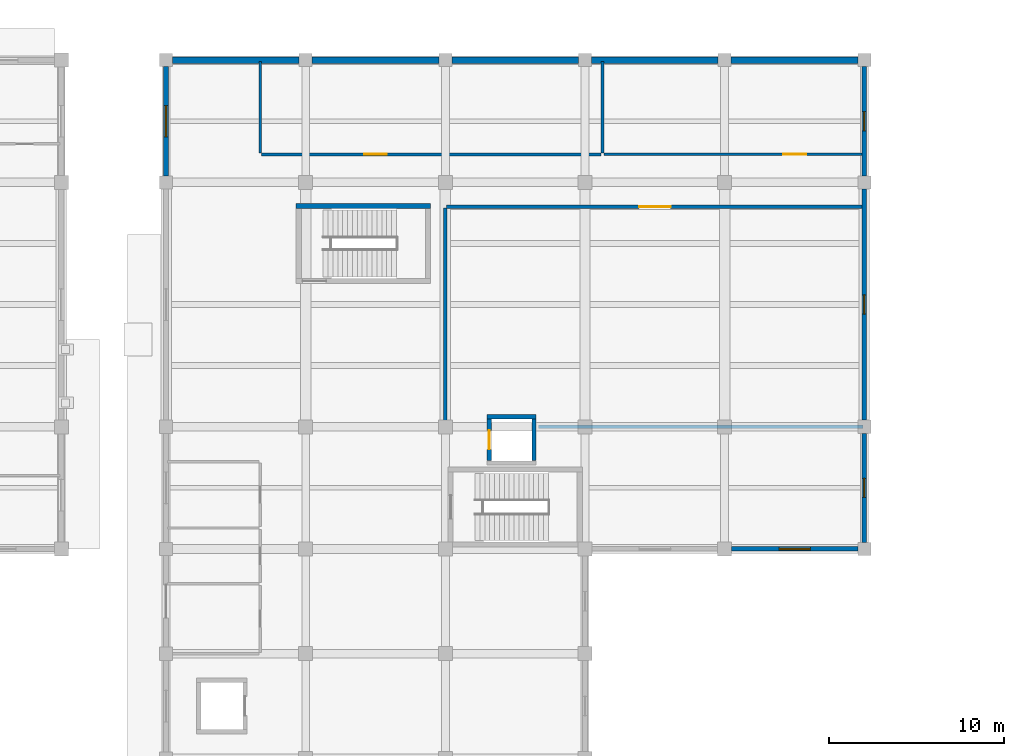
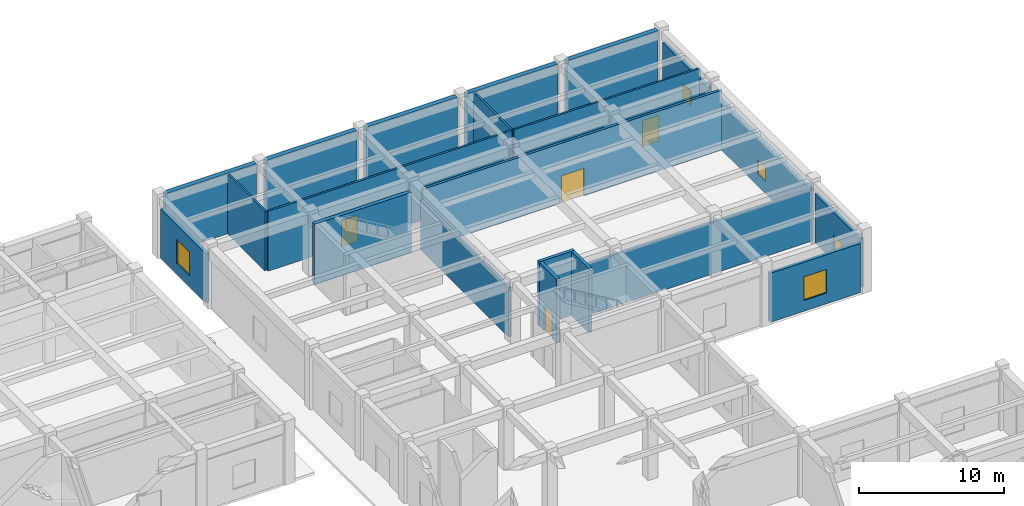
# One storey, part 29 of 40: 21 walls, 5 windows, 4 doors, 9 openings.
"""IFC4 building model written with IfcOpenShell, lengths in metres."""

from ifc_helpers import new_model, si_unit, direction, frame, frame_2d, origin, place, context, subcontext, project, spatial, rectangle, extrude, material, layer, layer_set, type_object, element, fill, save


model = new_model("IFC4")

# Units and contexts
model_context = context("Model", 3, precision=1e-05, world=origin(), true_north=direction((0.0, 1.0)))
body_context = subcontext(model_context, "Body", "Model", "MODEL_VIEW")
ifc_project = project(units=[si_unit("LENGTHUNIT", "METRE"), si_unit("AREAUNIT", "SQUARE_METRE"), si_unit("VOLUMEUNIT", "CUBIC_METRE"), si_unit("PLANEANGLEUNIT", "RADIAN"), si_unit("MASSUNIT", "GRAM", prefix="KILO")], contexts=[model_context])

# Site, building, storey
site_placement = place(None, origin())
site = spatial("IfcSite", under=ifc_project, at=site_placement, CompositionType="ELEMENT")
building_placement = place(site_placement, origin())
building = spatial("IfcBuilding", under=site, at=building_placement, Name="Naurynzar Civic Courthouse", CompositionType="ELEMENT")
storey_placement = place(building_placement, origin())
storey = spatial("IfcBuildingStorey", under=building, at=storey_placement, Name="L01", CompositionType="ELEMENT", Elevation=0.0)

# Wall
ifc_material_1 = material(Name="Acoustic Double-Stud Gypsum Partition")
ifc_layer_1 = layer(ifc_material_1, 0.205078125)
ifc_layer_set_1 = layer_set([ifc_layer_1], Name="WL-ACOUSTIC-205")
wall_type_1 = type_object("IfcWallType", Name="WL-ACOUSTIC-205", PredefinedType="PARTITIONING", material=ifc_layer_set_1)
wall_1_placement = place(storey_placement, frame((151.35009765625, 51.0, 0.0), z_axis=(0.0, 0.0, 1.0), x_axis=(1.0, 0.0, 0.0)))
element("IfcWall", 1, at=wall_1_placement, inside=storey, type_object=wall_type_1, Name="V5 interior partition L01.112", PredefinedType="PARTITIONING", context=body_context, shape_type="SweptSolid", body=[
    extrude(rectangle(XDim=18.56982421875, YDim=0.205078125, at=frame_2d((9.284912109375, 0.0))), origin(), (0.0, 0.0, 1.0), 4.35009765625),
])

# Wall, opening, door
wall_2_placement = place(storey_placement, frame((146.080078125, 63.60009765625, 0.0), z_axis=(0.0, 0.0, 1.0), x_axis=(1.0, 0.0, 0.0)))
wall_2 = element("IfcWall", 2, at=wall_2_placement, inside=storey, type_object=wall_type_1, Name="V5 interior partition L01.113", PredefinedType="PARTITIONING", context=body_context, shape_type="SweptSolid", body=[
    extrude(rectangle(XDim=23.83984375, YDim=0.205078125, at=frame_2d((11.919921875, 0.0))), origin(), (0.0, 0.0, 1.0), 5.0400390625),
])
opening_1_placement = place(wall_2_placement, frame((11.02001953125, 0.0, 0.0)))
opening_1 = element("IfcOpeningElement", 3, at=opening_1_placement, cuts=wall_2, Name="Opening D-283", PredefinedType="OPENING", context=body_context, shape_type="SweptSolid", body=[
    extrude(rectangle(XDim=1.800048828125, YDim=2.300048828125, at=frame_2d((0.89990234375, 1.14990234375))), frame((0.0, 0.112548828125, 0.0), z_axis=(0.0, -1.0, 0.0), x_axis=(1.0, 0.0, 0.0)), (0.0, 0.0, 1.0), 0.22509765625),
])
ifc_material_2 = material(Name="Acoustic Oak Timber Grade A", Category="wood")
door_type_1 = type_object("IfcDoorType", Name="DR-COURT-DBL-1800x2300", OperationType="DOUBLE_DOOR_SINGLE_SWING", PredefinedType="DOOR", material=ifc_material_2)
door_1_placement = place(opening_1_placement, origin())
door_1 = element("IfcDoor", 4, at=door_1_placement, inside=storey, type_object=door_type_1, Name="Interior door D-283 (Criminal Duty Courtroom 1A)", OperationType="DOUBLE_DOOR_SINGLE_SWING", OverallHeight=2.300048828125, OverallWidth=1.800048828125, PredefinedType="DOOR", context=body_context, shape_type="SweptSolid", body=[
    extrude(rectangle(XDim=1.800048828125, YDim=2.300048828125, at=frame_2d((0.89990234375, 1.14990234375))), frame((0.0, 0.02490234375, 0.0), z_axis=(0.0, -1.0, 0.0), x_axis=(1.0, 0.0, 0.0)), (0.0, 0.0, 1.0), 0.050048828125),
])
fill(opening_1, door_1)

# Walls
wall_3_placement = place(storey_placement, frame((146.0, 51.35009765625, 0.0), z_axis=(0.0, 0.0, 1.0), x_axis=(0.0, 1.0, 0.0)))
element("IfcWall", 5, at=wall_3_placement, inside=storey, type_object=wall_type_1, Name="V5 interior partition L01.177", PredefinedType="PARTITIONING", context=body_context, shape_type="SweptSolid", body=[
    extrude(rectangle(XDim=12.169921875, YDim=0.205078125, at=frame_2d((6.0849609375, 0.0))), origin(), (0.0, 0.0, 1.0), 4.14990234375),
])
ifc_material_3 = material(Name="Concrete C40/50", Category="concrete")
ifc_layer_2 = layer(ifc_material_3, 0.300048828125)
ifc_layer_set_2 = layer_set([ifc_layer_2], Name="WL-CORE-300")
wall_type_2 = type_object("IfcWallType", Name="WL-CORE-300", PredefinedType="SHEAR", material=ifc_layer_set_2)
wall_4_placement = place(storey_placement, frame((145.14990234375, 63.64990234375, 0.0), z_axis=(0.0, 0.0, 1.0), x_axis=(-1.0, 0.0, 0.0)))
element("IfcWall", 6, at=wall_4_placement, inside=storey, type_object=wall_type_2, Name="Stair ST-V5B enclosure wall north L01", PredefinedType="SHEAR", context=body_context, shape_type="SweptSolid", body=[
    extrude(rectangle(XDim=7.699951171875, YDim=0.300048828125, at=frame_2d((3.85009765625, 0.0))), origin(), (0.0, 0.0, 1.0), 5.10009765625),
])

# Wall, opening, window
ifc_material_4 = material(Name="Precast concrete C40/50", Category="concrete")
ifc_layer_3 = layer(ifc_material_4, 0.260009765625)
ifc_layer_set_3 = layer_set([ifc_layer_3], Name="WL-EXT-260")
wall_type_3 = type_object("IfcWallType", Name="WL-EXT-260", PredefinedType="SOLIDWALL", material=ifc_layer_set_3)
wall_5_placement = place(storey_placement, frame((130.0, 65.375, 0.0), z_axis=(0.0, 0.0, 1.0), x_axis=(0.0, 1.0, 0.0)))
wall_5 = element("IfcWall", 7, at=wall_5_placement, inside=storey, type_object=wall_type_3, Name="V5 exterior wall west L01.9.1", PredefinedType="SOLIDWALL", context=body_context, shape_type="SweptSolid", body=[
    extrude(rectangle(XDim=6.25, YDim=0.260009765625, at=frame_2d((3.125, 0.0))), origin(), (0.0, 0.0, 1.0), 4.1298828125),
])
opening_2_placement = place(wall_5_placement, frame((2.22509765625, 0.0, 0.89990234375)))
opening_2 = element("IfcOpeningElement", 8, at=opening_2_placement, cuts=wall_5, Name="Opening WN-03", PredefinedType="OPENING", context=body_context, shape_type="SweptSolid", body=[
    extrude(rectangle(XDim=1.800048828125, YDim=2.0, at=frame_2d((0.89990234375, 1.0))), frame((0.0, 0.139892578125, 0.0), z_axis=(0.0, -1.0, 0.0), x_axis=(1.0, 0.0, 0.0)), (0.0, 0.0, 1.0), 0.280029296875),
])
ifc_material_5 = material(Name="Tempered Laminated Low-E Glass", Category="glass")
window_type_1 = type_object("IfcWindowType", Name="WIN-COURT-1800x2000", PartitioningType="DOUBLE_PANEL_VERTICAL", PredefinedType="WINDOW", material=ifc_material_5)
window_1_placement = place(opening_2_placement, origin())
window_1 = element("IfcWindow", 9, at=window_1_placement, inside=storey, type_object=window_type_1, Name="V5 window 244 L01", OverallHeight=2.0, OverallWidth=1.800048828125, PartitioningType="SINGLE_PANEL", PredefinedType="WINDOW", context=body_context, shape_type="SweptSolid", body=[
    extrude(rectangle(XDim=1.800048828125, YDim=2.0, at=frame_2d((0.89990234375, 1.0))), frame((0.0, 0.030029296875, 0.0), z_axis=(0.0, -1.0, 0.0), x_axis=(1.0, 0.0, 0.0)), (0.0, 0.0, 1.0), 0.06005859375),
])
fill(opening_2, window_1)

wall_6_placement = place(storey_placement, frame((170.0, 71.625, 0.0), z_axis=(0.0, 0.0, 1.0), x_axis=(0.0, -1.0, 0.0)))
wall_6 = element("IfcWall", 10, at=wall_6_placement, inside=storey, type_object=wall_type_3, Name="V5 exterior wall east_north L01.1.1", PredefinedType="SOLIDWALL", context=body_context, shape_type="SweptSolid", body=[
    extrude(rectangle(XDim=6.25, YDim=0.260009765625, at=frame_2d((3.125, 0.0))), origin(), (0.0, 0.0, 1.0), 4.1298828125),
])
opening_3_placement = place(wall_6_placement, frame((2.574951171875, 0.0, 1.0)))
opening_3 = element("IfcOpeningElement", 11, at=opening_3_placement, cuts=wall_6, Name="Opening WN-15", PredefinedType="OPENING", context=body_context, shape_type="SweptSolid", body=[
    extrude(rectangle(XDim=1.10009765625, YDim=1.199951171875, at=frame_2d((0.550048828125, 0.60009765625))), frame((0.0, 0.139892578125, 0.0), z_axis=(0.0, -1.0, 0.0), x_axis=(1.0, 0.0, 0.0)), (0.0, 0.0, 1.0), 0.280029296875),
])
ifc_material_6 = material(Name="Tempered Laminated Low-E Glass", Category="glass")
window_type_2 = type_object("IfcWindowType", Name="WIN-SEC-1100x1200", PartitioningType="SINGLE_PANEL", PredefinedType="WINDOW", material=ifc_material_6)
window_2_placement = place(opening_3_placement, origin())
window_2 = element("IfcWindow", 12, at=window_2_placement, inside=storey, type_object=window_type_2, Name="V5 window 245 L01", OverallHeight=1.199951171875, OverallWidth=1.10009765625, PartitioningType="SINGLE_PANEL", PredefinedType="WINDOW", context=body_context, shape_type="SweptSolid", body=[
    extrude(rectangle(XDim=1.10009765625, YDim=1.199951171875, at=frame_2d((0.550048828125, 0.60009765625))), frame((0.0, 0.030029296875, 0.0), z_axis=(0.0, -1.0, 0.0), x_axis=(1.0, 0.0, 0.0)), (0.0, 0.0, 1.0), 0.06005859375),
])
fill(opening_3, window_2)

wall_7_placement = place(storey_placement, frame((170.0, 64.625, 0.0), z_axis=(0.0, 0.0, 1.0), x_axis=(0.0, -1.0, 0.0)))
wall_7 = element("IfcWall", 13, at=wall_7_placement, inside=storey, type_object=wall_type_3, Name="V5 exterior wall east_north L01.2.1", PredefinedType="SOLIDWALL", context=body_context, shape_type="SweptSolid", body=[
    extrude(rectangle(XDim=13.25, YDim=0.260009765625, at=frame_2d((6.625, 0.0))), origin(), (0.0, 0.0, 1.0), 4.1298828125),
])
opening_4_placement = place(wall_7_placement, frame((6.074951171875, 0.0, 1.0)))
opening_4 = element("IfcOpeningElement", 14, at=opening_4_placement, cuts=wall_7, Name="Opening WN-15", PredefinedType="OPENING", context=body_context, shape_type="SweptSolid", body=[
    extrude(rectangle(XDim=1.10009765625, YDim=1.199951171875, at=frame_2d((0.550048828125, 0.60009765625))), frame((0.0, 0.139892578125, 0.0), z_axis=(0.0, -1.0, 0.0), x_axis=(1.0, 0.0, 0.0)), (0.0, 0.0, 1.0), 0.280029296875),
])
window_3_placement = place(opening_4_placement, origin())
window_3 = element("IfcWindow", 15, at=window_3_placement, inside=storey, type_object=window_type_2, Name="V5 window 246 L01", OverallHeight=1.199951171875, OverallWidth=1.10009765625, PartitioningType="SINGLE_PANEL", PredefinedType="WINDOW", context=body_context, shape_type="SweptSolid", body=[
    extrude(rectangle(XDim=1.10009765625, YDim=1.199951171875, at=frame_2d((0.550048828125, 0.60009765625))), frame((0.0, 0.030029296875, 0.0), z_axis=(0.0, -1.0, 0.0), x_axis=(1.0, 0.0, 0.0)), (0.0, 0.0, 1.0), 0.06005859375),
])
fill(opening_4, window_3)

wall_8_placement = place(storey_placement, frame((170.0, 50.625, 0.0), z_axis=(0.0, 0.0, 1.0), x_axis=(0.0, -1.0, 0.0)))
wall_8 = element("IfcWall", 16, at=wall_8_placement, inside=storey, type_object=wall_type_3, Name="V5 exterior wall east_north L01.3.1", PredefinedType="SOLIDWALL", context=body_context, shape_type="SweptSolid", body=[
    extrude(rectangle(XDim=6.25, YDim=0.260009765625, at=frame_2d((3.125, 0.0))), origin(), (0.0, 0.0, 1.0), 4.1298828125),
])
opening_5_placement = place(wall_8_placement, frame((2.574951171875, 0.0, 1.0)))
opening_5 = element("IfcOpeningElement", 17, at=opening_5_placement, cuts=wall_8, Name="Opening WN-15", PredefinedType="OPENING", context=body_context, shape_type="SweptSolid", body=[
    extrude(rectangle(XDim=1.10009765625, YDim=1.199951171875, at=frame_2d((0.550048828125, 0.60009765625))), frame((0.0, 0.139892578125, 0.0), z_axis=(0.0, -1.0, 0.0), x_axis=(1.0, 0.0, 0.0)), (0.0, 0.0, 1.0), 0.280029296875),
])
window_4_placement = place(opening_5_placement, origin())
window_4 = element("IfcWindow", 18, at=window_4_placement, inside=storey, type_object=window_type_2, Name="V5 window 247 L01", OverallHeight=1.199951171875, OverallWidth=1.10009765625, PartitioningType="SINGLE_PANEL", PredefinedType="WINDOW", context=body_context, shape_type="SweptSolid", body=[
    extrude(rectangle(XDim=1.10009765625, YDim=1.199951171875, at=frame_2d((0.550048828125, 0.60009765625))), frame((0.0, 0.030029296875, 0.0), z_axis=(0.0, -1.0, 0.0), x_axis=(1.0, 0.0, 0.0)), (0.0, 0.0, 1.0), 0.06005859375),
])
fill(opening_5, window_4)

wall_9_placement = place(storey_placement, frame((169.625, 44.0, 0.0), z_axis=(0.0, 0.0, 1.0), x_axis=(-1.0, 0.0, 0.0)))
wall_9 = element("IfcWall", 19, at=wall_9_placement, inside=storey, type_object=wall_type_3, Name="V5 exterior wall notch_n L01.1.1", PredefinedType="SOLIDWALL", context=body_context, shape_type="SweptSolid", body=[
    extrude(rectangle(XDim=7.22509765625, YDim=0.260009765625, at=frame_2d((3.612548828125, 0.0))), origin(), (0.0, 0.0, 1.0), 4.1298828125),
])
opening_6_placement = place(wall_9_placement, frame((2.71240234375, 0.0, 0.89990234375)))
opening_6 = element("IfcOpeningElement", 20, at=opening_6_placement, cuts=wall_9, Name="Opening WN-03", PredefinedType="OPENING", context=body_context, shape_type="SweptSolid", body=[
    extrude(rectangle(XDim=1.800048828125, YDim=2.0, at=frame_2d((0.89990234375, 1.0))), frame((0.0, 0.139892578125, 0.0), z_axis=(0.0, -1.0, 0.0), x_axis=(1.0, 0.0, 0.0)), (0.0, 0.0, 1.0), 0.280029296875),
])
window_5_placement = place(opening_6_placement, origin())
window_5 = element("IfcWindow", 21, at=window_5_placement, inside=storey, type_object=window_type_1, Name="V5 window 248 L01", OverallHeight=2.0, OverallWidth=1.800048828125, PartitioningType="SINGLE_PANEL", PredefinedType="WINDOW", context=body_context, shape_type="SweptSolid", body=[
    extrude(rectangle(XDim=1.800048828125, YDim=2.0, at=frame_2d((0.89990234375, 1.0))), frame((0.0, 0.030029296875, 0.0), z_axis=(0.0, -1.0, 0.0), x_axis=(1.0, 0.0, 0.0)), (0.0, 0.0, 1.0), 0.06005859375),
])
fill(opening_6, window_5)

# Wall, opening, door
ifc_material_7 = material(Name="Insulated Metal-Stud Gypsum Partition")
ifc_layer_4 = layer(ifc_material_7, 0.159912109375)
ifc_layer_set_4 = layer_set([ifc_layer_4], Name="WL-PART-CHAMB-160")
wall_type_4 = type_object("IfcWallType", Name="WL-PART-CHAMB-160", PredefinedType="PARTITIONING", material=ifc_layer_set_4)
wall_10_placement = place(storey_placement, frame((135.47998046875, 66.60009765625, 0.0), z_axis=(0.0, 0.0, 1.0), x_axis=(1.0, 0.0, 0.0)))
wall_10 = element("IfcWall", 22, at=wall_10_placement, inside=storey, type_object=wall_type_4, Name="V5 interior partition L01.120", PredefinedType="PARTITIONING", context=body_context, shape_type="SweptSolid", body=[
    extrude(rectangle(XDim=19.43994140625, YDim=0.159912109375, at=frame_2d((9.719970703125, 0.0))), origin(), (0.0, 0.0, 1.0), 5.0400390625),
])
opening_7_placement = place(wall_10_placement, frame((5.8798828125, 0.0, 0.0)))
opening_7 = element("IfcOpeningElement", 23, at=opening_7_placement, cuts=wall_10, Name="Opening D-284", PredefinedType="OPENING", context=body_context, shape_type="SweptSolid", body=[
    extrude(rectangle(XDim=1.280029296875, YDim=2.199951171875, at=frame_2d((0.64013671875, 1.10009765625))), frame((0.0, 0.08984375, 0.0), z_axis=(0.0, -1.0, 0.0), x_axis=(1.0, 0.0, 0.0)), (0.0, 0.0, 1.0), 0.179931640625),
])
ifc_material_8 = material(Name="Acoustic Oak Timber Grade A", Category="wood")
door_type_2 = type_object("IfcDoorType", Name="DR-SUITE-1280x2200", OperationType="NOTDEFINED", PredefinedType="DOOR", material=ifc_material_8)
door_2_placement = place(opening_7_placement, origin())
door_2 = element("IfcDoor", 24, at=door_2_placement, inside=storey, type_object=door_type_2, Name="Interior door D-284 (Duty Judges' Chambers L01)", OperationType="SINGLE_SWING_RIGHT", OverallHeight=2.199951171875, OverallWidth=1.280029296875, PredefinedType="DOOR", context=body_context, shape_type="SweptSolid", body=[
    extrude(rectangle(XDim=1.280029296875, YDim=2.199951171875, at=frame_2d((0.64013671875, 1.10009765625))), frame((0.0, 0.02490234375, 0.0), z_axis=(0.0, -1.0, 0.0), x_axis=(1.0, 0.0, 0.0)), (0.0, 0.0, 1.0), 0.050048828125),
])
fill(opening_7, door_2)

# Walls
for number, where, z_axis, x_axis, name in (
    (25, (135.39990234375, 66.679931640625, 0.0), (0.0, 0.0, 1.0), (0.0, 1.0, 0.0), "V5 interior partition L01.175"),
    (26, (155.0, 66.679931640625, 0.0), (0.0, 0.0, 1.0), (0.0, 1.0, 0.0), "V5 interior partition L01.180"),
):
    element("IfcWall", number, at=place(storey_placement, frame(where, z_axis=z_axis, x_axis=x_axis)), inside=storey, type_object=wall_type_4, Name=name, PredefinedType="PARTITIONING", context=body_context, shape_type="SweptSolid", body=[
        extrude(rectangle(XDim=5.239990234375, YDim=0.159912109375, at=frame_2d((2.6201171875, 0.0))), origin(), (0.0, 0.0, 1.0), 5.0400390625),
    ])

# Wall, opening, door
ifc_material_9 = material(Name="Fire-Rated Corridor Gypsum Partition")
ifc_layer_5 = layer(ifc_material_9, 0.14990234375)
ifc_layer_set_5 = layer_set([ifc_layer_5], Name="WL-PART-CORR-150")
wall_type_5 = type_object("IfcWallType", Name="WL-PART-CORR-150", PredefinedType="PARTITIONING", material=ifc_layer_set_5)
wall_11_placement = place(storey_placement, frame((155.080078125, 66.60009765625, 0.0), z_axis=(0.0, 0.0, 1.0), x_axis=(1.0, 0.0, 0.0)))
wall_11 = element("IfcWall", 27, at=wall_11_placement, inside=storey, type_object=wall_type_5, Name="V5 interior partition L01.121", PredefinedType="PARTITIONING", context=body_context, shape_type="SweptSolid", body=[
    extrude(rectangle(XDim=14.83984375, YDim=0.14990234375, at=frame_2d((7.419921875, 0.0))), origin(), (0.0, 0.0, 1.0), 5.0400390625),
])
opening_8_placement = place(wall_11_placement, frame((10.27197265625, 0.0, 0.0)))
opening_8 = element("IfcOpeningElement", 28, at=opening_8_placement, cuts=wall_11, Name="Opening D-285", PredefinedType="OPENING", context=body_context, shape_type="SweptSolid", body=[
    extrude(rectangle(XDim=1.320068359375, YDim=2.199951171875, at=frame_2d((0.66015625, 1.10009765625))), frame((0.0, 0.0849609375, 0.0), z_axis=(0.0, -1.0, 0.0), x_axis=(1.0, 0.0, 0.0)), (0.0, 0.0, 1.0), 0.169921875),
])
ifc_material_10 = material(Name="Acoustic Oak Timber Grade A", Category="wood")
door_type_3 = type_object("IfcDoorType", Name="DR-SUITE-1320x2200", OperationType="NOTDEFINED", PredefinedType="DOOR", material=ifc_material_10)
door_3_placement = place(opening_8_placement, origin())
door_3 = element("IfcDoor", 29, at=door_3_placement, inside=storey, type_object=door_type_3, Name="Interior door D-285 (Prosecutors' and Advocates' Room L01)", OperationType="SINGLE_SWING_LEFT", OverallHeight=2.199951171875, OverallWidth=1.320068359375, PredefinedType="DOOR", context=body_context, shape_type="SweptSolid", body=[
    extrude(rectangle(XDim=1.320068359375, YDim=2.199951171875, at=frame_2d((0.66015625, 1.10009765625))), frame((0.0, 0.02490234375, 0.0), z_axis=(0.0, -1.0, 0.0), x_axis=(1.0, 0.0, 0.0)), (0.0, 0.0, 1.0), 0.050048828125),
])
fill(opening_8, door_3)

# Walls
ifc_material_11 = material(Name="Concrete C40/50", Category="concrete")
ifc_layer_6 = layer(ifc_material_11, 0.360107421875)
ifc_layer_set_6 = layer_set([ifc_layer_6], Name="WL-PARTY-360")
wall_type_6 = type_object("IfcWallType", Name="WL-PARTY-360", PredefinedType="SOLIDWALL", material=ifc_layer_set_6)
for number, where, z_axis, x_axis, name in (
    (30, (130.375, 72.0, 0.0), (0.0, 0.0, 1.0), (1.0, 0.0, 0.0), "V5 solid seismic party wall L01 1"),
    (31, (138.375, 72.0, 0.0), (0.0, 0.0, 1.0), (1.0, 0.0, 0.0), "V5 solid seismic party wall L01 2"),
    (32, (146.375, 72.0, 0.0), (0.0, 0.0, 1.0), (1.0, 0.0, 0.0), "V5 solid seismic party wall L01 3"),
    (33, (154.375, 72.0, 0.0), (0.0, 0.0, 1.0), (1.0, 0.0, 0.0), "V5 solid seismic party wall L01 4"),
    (34, (162.375, 72.0, 0.0), (0.0, 0.0, 1.0), (1.0, 0.0, 0.0), "V5 solid seismic party wall L01 5"),
):
    element("IfcWall", number, at=place(storey_placement, frame(where, z_axis=z_axis, x_axis=x_axis)), inside=storey, type_object=wall_type_6, Name=name, PredefinedType="SOLIDWALL", context=body_context, shape_type="SweptSolid", body=[
        extrude(rectangle(XDim=7.25, YDim=0.360107421875, at=frame_2d((3.625, 0.0))), origin(), (0.0, 0.0, 1.0), 5.10009765625),
    ])
ifc_material_12 = material(Name="Concrete C40/50", Category="concrete")
ifc_layer_7 = layer(ifc_material_12, 0.25)
ifc_layer_set_7 = layer_set([ifc_layer_7], Name="WL-SHAFT-250")
wall_type_7 = type_object("IfcWallType", Name="WL-SHAFT-250", PredefinedType="SHEAR", material=ifc_layer_set_7)
wall_12_placement = place(storey_placement, frame((151.199951171875, 51.574951171875, 0.0), z_axis=(0.0, 0.0, 1.0), x_axis=(-1.0, 0.0, 0.0)))
element("IfcWall", 35, at=wall_12_placement, inside=storey, type_object=wall_type_7, Name="Lift LF-CUS shaft wall north L01", PredefinedType="SHEAR", context=body_context, shape_type="SweptSolid", body=[
    extrude(rectangle(XDim=2.800048828125, YDim=0.25, at=frame_2d((1.39990234375, 0.0))), origin(), (0.0, 0.0, 1.0), 5.39990234375),
])

# Wall, opening, door
wall_13_placement = place(storey_placement, frame((148.52490234375, 51.445068359375, 0.0), z_axis=(0.0, 0.0, 1.0), x_axis=(0.0, -1.0, 0.0)))
wall_13 = element("IfcWall", 36, at=wall_13_placement, inside=storey, type_object=wall_type_7, Name="Lift LF-CUS shaft wall west L01", PredefinedType="SHEAR", context=body_context, shape_type="SweptSolid", body=[
    extrude(rectangle(XDim=2.39013671875, YDim=0.25, at=frame_2d((1.195068359375, 0.0))), origin(), (0.0, 0.0, 1.0), 5.39990234375),
])
opening_9_placement = place(wall_13_placement, frame((0.64501953125, 0.0, 0.0)))
opening_9 = element("IfcOpeningElement", 37, at=opening_9_placement, cuts=wall_13, Name="Opening LD-087", PredefinedType="OPENING", context=body_context, shape_type="SweptSolid", body=[
    extrude(rectangle(XDim=1.10009765625, YDim=2.14990234375, at=frame_2d((0.550048828125, 1.074951171875))), frame((0.0, 0.135009765625, 0.0), z_axis=(0.0, -1.0, 0.0), x_axis=(1.0, 0.0, 0.0)), (0.0, 0.0, 1.0), 0.27001953125),
])
ifc_material_13 = material(Name="Brushed Stainless Steel 304", Category="steel")
door_type_4 = type_object("IfcDoorType", Name="DR-LIFT-SLIDE-1100x2150", OperationType="DOUBLE_DOOR_SLIDING", PredefinedType="DOOR", material=ifc_material_13)
door_4_placement = place(opening_9_placement, origin())
door_4 = element("IfcDoor", 38, at=door_4_placement, inside=storey, type_object=door_type_4, Name="Lift LF-CUS sliding landing door L01", OperationType="DOUBLE_DOOR_SLIDING", OverallHeight=2.14990234375, OverallWidth=1.10009765625, PredefinedType="DOOR", context=body_context, shape_type="SweptSolid", body=[
    extrude(rectangle(XDim=1.10009765625, YDim=2.14990234375, at=frame_2d((0.550048828125, 1.074951171875))), frame((0.0, 0.02490234375, 0.0), z_axis=(0.0, -1.0, 0.0), x_axis=(1.0, 0.0, 0.0)), (0.0, 0.0, 1.0), 0.050048828125),
])
fill(opening_9, door_4)

# Wall
wall_14_placement = place(storey_placement, frame((151.074951171875, 49.054931640625, 0.0), z_axis=(0.0, 0.0, 1.0), x_axis=(0.0, 1.0, 0.0)))
element("IfcWall", 39, at=wall_14_placement, inside=storey, type_object=wall_type_7, Name="Lift LF-CUS shaft wall east L01", PredefinedType="SHEAR", context=body_context, shape_type="SweptSolid", body=[
    extrude(rectangle(XDim=2.39013671875, YDim=0.25, at=frame_2d((1.195068359375, 0.0))), origin(), (0.0, 0.0, 1.0), 5.39990234375),
])

save(model, "model.ifc")
